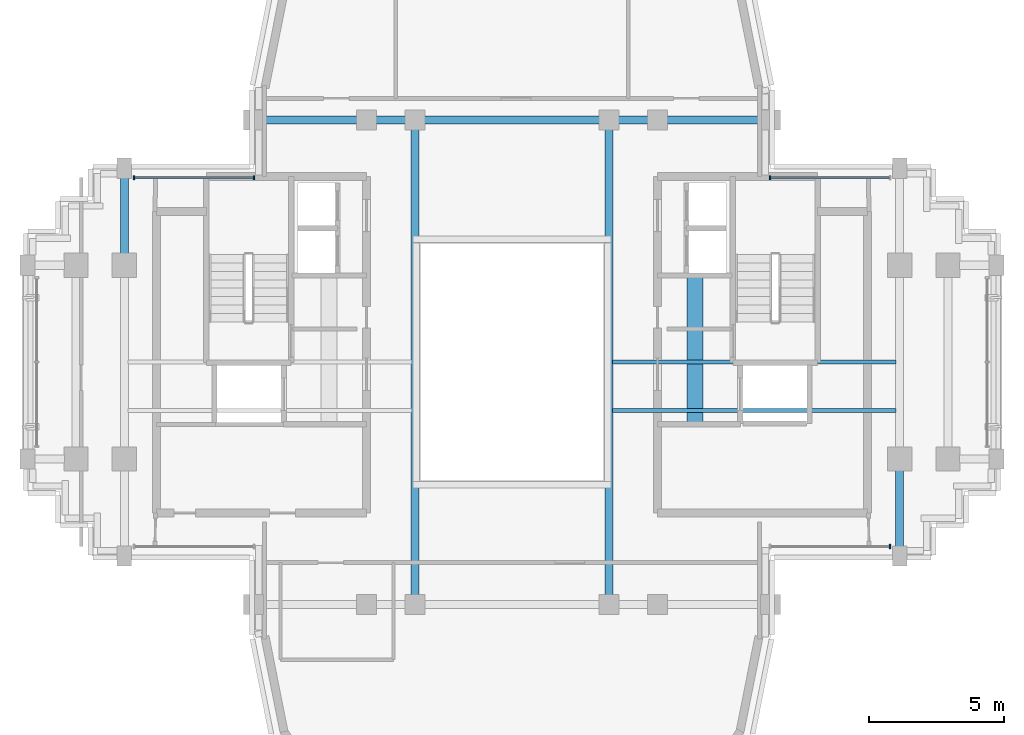
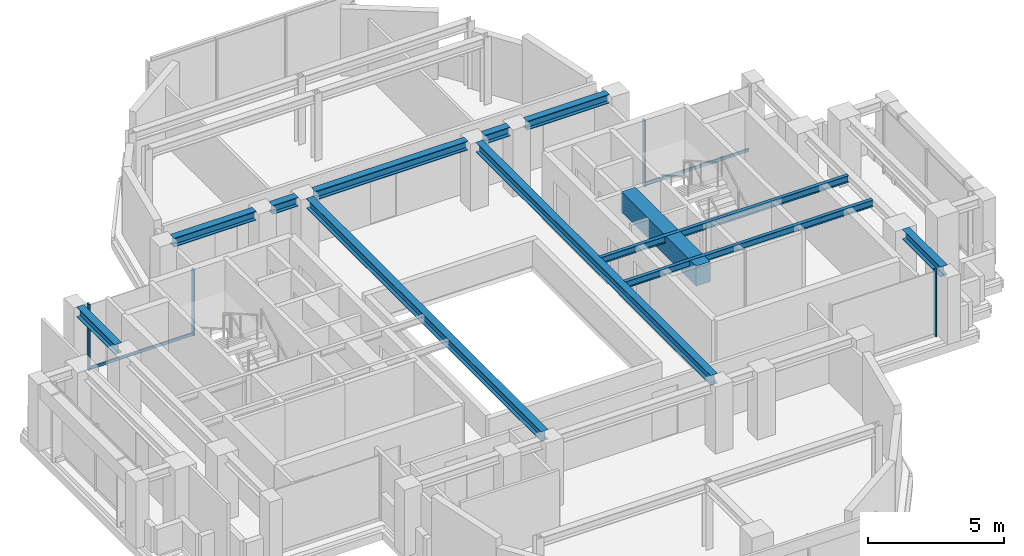
# One storey, part 5 of 12: 12 beams, 6 members, 3 elements without a shape of their own.
"""IFC4 building model written with IfcOpenShell, lengths in metres."""

from ifc_helpers import new_model, si_unit, direction, frame, origin, origin_2d, place, context, subcontext, project, spatial, rectangle, i_section, extrude, source, transform, mapped, material, material_profile, profile_set, type_object, element, aggregate, save


model = new_model("IFC4")

# Units and contexts
model_context = context("Model", 3, precision=1e-05, world=origin(), true_north=direction((0.0, 1.0)))
body_context = subcontext(model_context, "Body", "Model", "MODEL_VIEW")
ifc_project = project(units=[si_unit("LENGTHUNIT", "METRE"), si_unit("AREAUNIT", "SQUARE_METRE"), si_unit("VOLUMEUNIT", "CUBIC_METRE"), si_unit("PLANEANGLEUNIT", "RADIAN"), si_unit("MASSUNIT", "GRAM", prefix="KILO")], contexts=[model_context])

# Site, building, storey
site_placement = place(None, origin())
site = spatial("IfcSite", under=ifc_project, at=site_placement, CompositionType="ELEMENT")
building_placement = place(site_placement, origin())
building = spatial("IfcBuilding", under=site, at=building_placement, Name="Keilestroom Media Tower", CompositionType="ELEMENT")
storey_placement = place(building_placement, frame((0.0, 0.0, 246.0)))
storey = spatial("IfcBuildingStorey", under=building, at=storey_placement, Name="L68", CompositionType="ELEMENT", Elevation=246.0)

# Beams
ifc_material_1 = material(Name="Concrete C70/85", Category="concrete")
ifc_material_profile_1 = material_profile(ifc_material_1, rectangle(XDim=0.60009765625, YDim=0.89990234375, at=origin_2d()), Name="RC 600x900")
ifc_profile_set_1 = profile_set([ifc_material_profile_1], Name="Concrete C70/85")
beam_type_1 = type_object("IfcBeamType", Name="Core-Coupling-Lintel-Beam-RC-600x900", PredefinedType="LINTEL", material=ifc_profile_set_1)
shared_shape_1 = source(origin(), body_context, "Body", "SweptSolid", [
    extrude(rectangle(XDim=0.60009765625, YDim=0.89990234375, at=origin_2d()), origin(), (0.0, 0.0, 1.0), 5.52001953125),
])
beam_1_placement = place(storey_placement, frame((6.800048828125, -2.300048828125, 2.56005859375), z_axis=(0.0, 1.0, 0.0), x_axis=(-1.0, 0.0, 0.0)))
element("IfcBeam", 1, at=beam_1_placement, inside=storey, type_object=beam_type_1, Name="L68 Beam CLB-1 CLB-L68-E", PredefinedType="LINTEL", context=body_context, shape_type="MappedRepresentation", body=[
    mapped(shared_shape_1, transform((0.0, 0.0, 0.0), x_axis=(1.0, 0.0, 0.0), y_axis=(0.0, 1.0, 0.0), z_axis=(0.0, 0.0, 1.0), scale=1.0)),
])
ifc_material_2 = material(Name="Steel S355", Category="steel")
ifc_material_profile_2 = material_profile(ifc_material_2, i_section(OverallWidth=0.300048828125, OverallDepth=0.39990234375, WebThickness=0.011474609375, FlangeThickness=0.02392578125, at=origin_2d()), Name="HEB 400")
ifc_profile_set_2 = profile_set([ifc_material_profile_2], Name="Steel S355")
beam_type_2 = type_object("IfcBeamType", Name="Primary-Structural-Girder-HEB-400", PredefinedType="BEAM", material=ifc_profile_set_2)
shared_shape_2 = source(origin(), body_context, "Body", "SweptSolid", [
    extrude(i_section(OverallWidth=0.300048828125, OverallDepth=0.39990234375, WebThickness=0.011474609375, FlangeThickness=0.02392578125, at=origin_2d()), origin(), (0.0, 0.0, 1.0), 3.490234375),
])
for number, where, z_axis, x_axis, name in (
    (2, (-9.2451171875, 9.0, 2.81005859375), (1.0, 0.0, 0.0), (0.0, 1.0, 0.0), "L68 Beam BG-8 BM-L68-EW-016"),
    (3, (5.7548828125, 9.0, 2.81005859375), (1.0, 0.0, 0.0), (0.0, 1.0, 0.0), "L68 Beam BG-8 BM-L68-EW-020"),
):
    element("IfcBeam", number, at=place(storey_placement, frame(where, z_axis=z_axis, x_axis=x_axis)), inside=storey, type_object=beam_type_2, Name=name, PredefinedType="BEAM", context=body_context, shape_type="MappedRepresentation", body=[
        mapped(shared_shape_2, transform((0.0, 0.0, 0.0), x_axis=(1.0, 0.0, 0.0), y_axis=(0.0, 1.0, 0.0), z_axis=(0.0, 0.0, 1.0), scale=1.0)),
    ])
shared_shape_3 = source(origin(), body_context, "Body", "SweptSolid", [
    extrude(i_section(OverallWidth=0.300048828125, OverallDepth=0.39990234375, WebThickness=0.011474609375, FlangeThickness=0.02392578125, at=origin_2d()), origin(), (0.0, 0.0, 1.0), 1.08984375),
])
for number, where, z_axis, x_axis, name in (
    (4, (-5.044921875, 9.0, 2.81005859375), (1.0, 0.0, 0.0), (0.0, 1.0, 0.0), "L68 Beam BG-8 BM-L68-EW-017"),
    (5, (3.955078125, 9.0, 2.81005859375), (1.0, 0.0, 0.0), (0.0, 1.0, 0.0), "L68 Beam BG-8 BM-L68-EW-019"),
):
    element("IfcBeam", number, at=place(storey_placement, frame(where, z_axis=z_axis, x_axis=x_axis)), inside=storey, type_object=beam_type_2, Name=name, PredefinedType="BEAM", context=body_context, shape_type="MappedRepresentation", body=[
        mapped(shared_shape_3, transform((0.0, 0.0, 0.0), x_axis=(1.0, 0.0, 0.0), y_axis=(0.0, 1.0, 0.0), z_axis=(0.0, 0.0, 1.0), scale=1.0)),
    ])
shared_shape_4 = source(origin(), body_context, "Body", "SweptSolid", [
    extrude(i_section(OverallWidth=0.300048828125, OverallDepth=0.39990234375, WebThickness=0.011474609375, FlangeThickness=0.02392578125, at=origin_2d()), origin(), (0.0, 0.0, 1.0), 6.490234375),
])
beam_2_placement = place(storey_placement, frame((-3.2451171875, 9.0, 2.81005859375), z_axis=(1.0, 0.0, 0.0), x_axis=(0.0, 1.0, 0.0)))
element("IfcBeam", 6, at=beam_2_placement, inside=storey, type_object=beam_type_2, Name="L68 Beam BG-8 BM-L68-EW-018", PredefinedType="BEAM", context=body_context, shape_type="MappedRepresentation", body=[
    mapped(shared_shape_4, transform((0.0, 0.0, 0.0), x_axis=(1.0, 0.0, 0.0), y_axis=(0.0, 1.0, 0.0), z_axis=(0.0, 0.0, 1.0), scale=1.0)),
])
ifc_material_profile_3 = material_profile(ifc_material_2, i_section(OverallWidth=0.300048828125, OverallDepth=0.43994140625, WebThickness=0.011474609375, FlangeThickness=0.02099609375, at=origin_2d()), Name="HEA 450")
ifc_profile_set_3 = profile_set([ifc_material_profile_3], Name="Steel S355")
beam_type_3 = type_object("IfcBeamType", Name="Primary-Structural-Girder-HEA-450", PredefinedType="BEAM", material=ifc_profile_set_3)
shared_shape_5 = source(origin(), body_context, "Body", "SweptSolid", [
    extrude(i_section(OverallWidth=0.300048828125, OverallDepth=0.43994140625, WebThickness=0.011474609375, FlangeThickness=0.02099609375, at=origin_2d()), origin(), (0.0, 0.0, 1.0), 2.81494140625),
])
for number, where, z_axis, x_axis, name in (
    (7, (-14.39990234375, 4.030029296875, 2.7900390625), (0.0, 1.0, 0.0), (-1.0, 0.0, 0.0), "L68 Beam BG-11 BM-L68-NS-029"),
    (8, (14.39990234375, -6.844970703125, 2.7900390625), (0.0, 1.0, 0.0), (-1.0, 0.0, 0.0), "L68 Beam BG-11 BM-L68-NS-040"),
):
    element("IfcBeam", number, at=place(storey_placement, frame(where, z_axis=z_axis, x_axis=x_axis)), inside=storey, type_object=beam_type_3, Name=name, PredefinedType="BEAM", context=body_context, shape_type="MappedRepresentation", body=[
        mapped(shared_shape_5, transform((0.0, 0.0, 0.0), x_axis=(1.0, 0.0, 0.0), y_axis=(0.0, 1.0, 0.0), z_axis=(0.0, 0.0, 1.0), scale=1.0)),
    ])
shared_shape_6 = source(origin(), body_context, "Body", "SweptSolid", [
    extrude(i_section(OverallWidth=0.300048828125, OverallDepth=0.43994140625, WebThickness=0.011474609375, FlangeThickness=0.02099609375, at=origin_2d()), origin(), (0.0, 0.0, 1.0), 17.2900390625),
])
for number, where, z_axis, x_axis, name in (
    (9, (-3.60009765625, -8.64501953125, 2.7900390625), (0.0, 1.0, 0.0), (-1.0, 0.0, 0.0), "L68 Beam BG-11 BM-L68-NS-033"),
    (10, (3.60009765625, -8.64501953125, 2.7900390625), (0.0, 1.0, 0.0), (-1.0, 0.0, 0.0), "L68 Beam BG-11 BM-L68-NS-036"),
):
    element("IfcBeam", number, at=place(storey_placement, frame(where, z_axis=z_axis, x_axis=x_axis)), inside=storey, type_object=beam_type_3, Name=name, PredefinedType="BEAM", context=body_context, shape_type="MappedRepresentation", body=[
        mapped(shared_shape_6, transform((0.0, 0.0, 0.0), x_axis=(1.0, 0.0, 0.0), y_axis=(0.0, 1.0, 0.0), z_axis=(0.0, 0.0, 1.0), scale=1.0)),
    ])
ifc_material_profile_4 = material_profile(ifc_material_2, i_section(OverallWidth=0.14990234375, OverallDepth=0.300048828125, WebThickness=0.007080078125, FlangeThickness=0.0107421875, at=origin_2d()), Name="IPE 300")
ifc_profile_set_4 = profile_set([ifc_material_profile_4], Name="Steel S355")
beam_type_4 = type_object("IfcBeamType", Name="Secondary-Floor-Joist-IPE-300", PredefinedType="JOIST", material=ifc_profile_set_4)
shared_shape_7 = source(origin(), body_context, "Body", "SweptSolid", [
    extrude(i_section(OverallWidth=0.14990234375, OverallDepth=0.300048828125, WebThickness=0.007080078125, FlangeThickness=0.0107421875, at=origin_2d()), origin(), (0.0, 0.0, 1.0), 10.5400390625),
])
for number, where, z_axis, x_axis, name in (
    (11, (3.72998046875, -1.800048828125, 2.860107421875), (1.0, 0.0, 0.0), (0.0, 1.0, 0.0), "L68 Beam BJ-7 JST-L68-047"),
    (12, (3.72998046875, 0.0, 2.860107421875), (1.0, 0.0, 0.0), (0.0, 1.0, 0.0), "L68 Beam BJ-7 JST-L68-050"),
):
    element("IfcBeam", number, at=place(storey_placement, frame(where, z_axis=z_axis, x_axis=x_axis)), inside=storey, type_object=beam_type_4, Name=name, PredefinedType="JOIST", context=body_context, shape_type="MappedRepresentation", body=[
        mapped(shared_shape_7, transform((0.0, 0.0, 0.0), x_axis=(1.0, 0.0, 0.0), y_axis=(0.0, 1.0, 0.0), z_axis=(0.0, 0.0, 1.0), scale=1.0)),
    ])

# Curtain wall, members
ifc_material_3 = material(Name="Anodised Aluminium Alloy", Category="aluminium")
curtain_wall_type = type_object("IfcCurtainWallType", Name="Unitised-Curtain-Wall-CW-4", PredefinedType="NOTDEFINED", material=ifc_material_3)
curtain_wall_1_placement = place(storey_placement, origin())
curtain_wall_1 = element("IfcCurtainWall", 13, at=curtain_wall_1_placement, inside=storey, type_object=curtain_wall_type, Name="L68 Curtain Wall CW-4 CW-L68-NW-1", PredefinedType="NOTDEFINED")
ifc_material_profile_5 = material_profile(ifc_material_3, rectangle(XDim=0.06005859375, YDim=0.159912109375, at=origin_2d()), Name="ALU MULLION 60x160")
ifc_profile_set_5 = profile_set([ifc_material_profile_5], Name="Anodised Aluminium Alloy")
member_type_1 = type_object("IfcMemberType", Name="Curtain-Wall-Mullion-CW-4", PredefinedType="MULLION", material=ifc_profile_set_5)
shared_shape_8 = source(origin(), body_context, "Body", "SweptSolid", [
    extrude(rectangle(XDim=0.06005859375, YDim=0.159912109375, at=origin_2d()), origin(), (0.0, 0.0, 1.0), 2.97998046875),
])
member_1_placement = place(storey_placement, frame((-14.034912109375, 6.85009765625, 0.0), z_axis=(0.0, 0.0, 1.0), x_axis=(1.0, 0.0, 0.0)))
member_1 = element("IfcMember", 14, at=member_1_placement, type_object=member_type_1, Name="CW-4 Mullion 00", PredefinedType="MULLION", context=body_context, shape_type="MappedRepresentation", body=[
    mapped(shared_shape_8, transform((0.0, 0.0, 0.0), x_axis=(1.0, 0.0, 0.0), y_axis=(0.0, 1.0, 0.0), z_axis=(0.0, 0.0, 1.0), scale=1.0)),
])
member_2_placement = place(storey_placement, frame((-9.580078125, 6.85009765625, 0.0), z_axis=(0.0, 0.0, 1.0), x_axis=(1.0, 0.0, 0.0)))
member_2 = element("IfcMember", 15, at=member_2_placement, type_object=member_type_1, Name="CW-4 Mullion 01", PredefinedType="MULLION", context=body_context, shape_type="MappedRepresentation", body=[
    mapped(shared_shape_8, transform((0.0, 0.0, 0.0), x_axis=(1.0, 0.0, 0.0), y_axis=(0.0, 1.0, 0.0), z_axis=(0.0, 0.0, 1.0), scale=1.0)),
])

# Curtain wall, member
curtain_wall_2_placement = place(storey_placement, origin())
curtain_wall_2 = element("IfcCurtainWall", 16, at=curtain_wall_2_placement, inside=storey, type_object=curtain_wall_type, Name="L68 Curtain Wall CW-4 CW-L68-NE-1", PredefinedType="NOTDEFINED")
member_3_placement = place(storey_placement, frame((9.580078125, 6.85009765625, 0.0), z_axis=(0.0, 0.0, 1.0), x_axis=(1.0, 0.0, 0.0)))
member_3 = element("IfcMember", 17, at=member_3_placement, type_object=member_type_1, Name="CW-4 Mullion 00", PredefinedType="MULLION", context=body_context, shape_type="MappedRepresentation", body=[
    mapped(shared_shape_8, transform((0.0, 0.0, 0.0), x_axis=(1.0, 0.0, 0.0), y_axis=(0.0, 1.0, 0.0), z_axis=(0.0, 0.0, 1.0), scale=1.0)),
])

curtain_wall_3_placement = place(storey_placement, origin())
curtain_wall_3 = element("IfcCurtainWall", 18, at=curtain_wall_3_placement, inside=storey, type_object=curtain_wall_type, Name="L68 Curtain Wall CW-4 CW-L68-SE-1", PredefinedType="NOTDEFINED")
member_4_placement = place(storey_placement, frame((14.034912109375, -6.85009765625, 0.0), z_axis=(0.0, 0.0, 1.0), x_axis=(1.0, 0.0, 0.0)))
member_4 = element("IfcMember", 19, at=member_4_placement, type_object=member_type_1, Name="CW-4 Mullion 01", PredefinedType="MULLION", context=body_context, shape_type="MappedRepresentation", body=[
    mapped(shared_shape_8, transform((0.0, 0.0, 0.0), x_axis=(1.0, 0.0, 0.0), y_axis=(0.0, 1.0, 0.0), z_axis=(0.0, 0.0, 1.0), scale=1.0)),
])
aggregate(curtain_wall_3, [member_4])

# Member
ifc_material_profile_6 = material_profile(ifc_material_3, rectangle(XDim=0.06005859375, YDim=0.1298828125, at=origin_2d()), Name="ALU TRANSOM 60x130")
ifc_profile_set_6 = profile_set([ifc_material_profile_6], Name="Anodised Aluminium Alloy")
member_type_2 = type_object("IfcMemberType", Name="Curtain-Wall-Transom-CW-4", PredefinedType="USERDEFINED", material=ifc_profile_set_6)
shared_shape_9 = source(origin(), body_context, "Body", "SweptSolid", [
    extrude(rectangle(XDim=0.06005859375, YDim=0.1298828125, at=origin_2d()), origin(), (0.0, 0.0, 1.0), 4.399169921875),
])
member_5_placement = place(storey_placement, frame((-14.007080078125, 6.85009765625, 0.06494140625), z_axis=(1.0, 0.0, 0.0), x_axis=(0.0, 1.0, 0.0)))
member_5 = element("IfcMember", 20, at=member_5_placement, type_object=member_type_2, Name="CW-4 Transom 00.1", ObjectType="TRANSOM", PredefinedType="USERDEFINED", context=body_context, shape_type="MappedRepresentation", body=[
    mapped(shared_shape_9, transform((0.0, 0.0, 0.0), x_axis=(1.0, 0.0, 0.0), y_axis=(0.0, 1.0, 0.0), z_axis=(0.0, 0.0, 1.0), scale=1.0)),
])

aggregate(curtain_wall_1, [member_1, member_2, member_5])

member_6_placement = place(storey_placement, frame((9.60791015625, 6.85009765625, 0.06494140625), z_axis=(1.0, 0.0, 0.0), x_axis=(0.0, 1.0, 0.0)))
member_6 = element("IfcMember", 21, at=member_6_placement, type_object=member_type_2, Name="CW-4 Transom 00.1", ObjectType="TRANSOM", PredefinedType="USERDEFINED", context=body_context, shape_type="MappedRepresentation", body=[
    mapped(shared_shape_9, transform((0.0, 0.0, 0.0), x_axis=(1.0, 0.0, 0.0), y_axis=(0.0, 1.0, 0.0), z_axis=(0.0, 0.0, 1.0), scale=1.0)),
])

aggregate(curtain_wall_2, [member_3, member_6])

save(model, "model.ifc")
